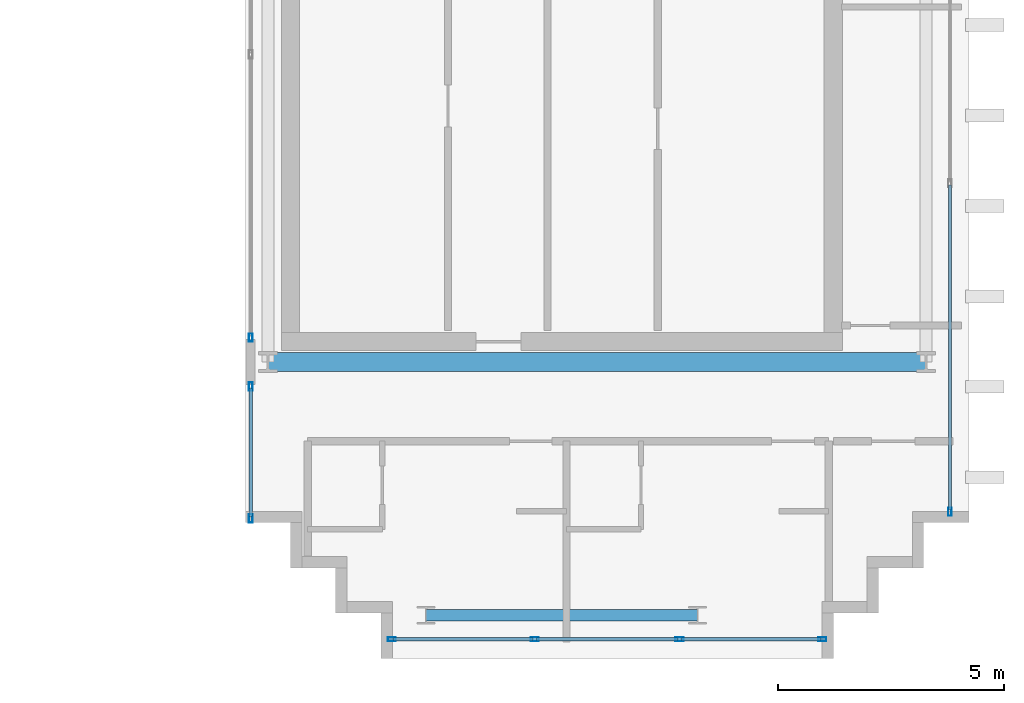
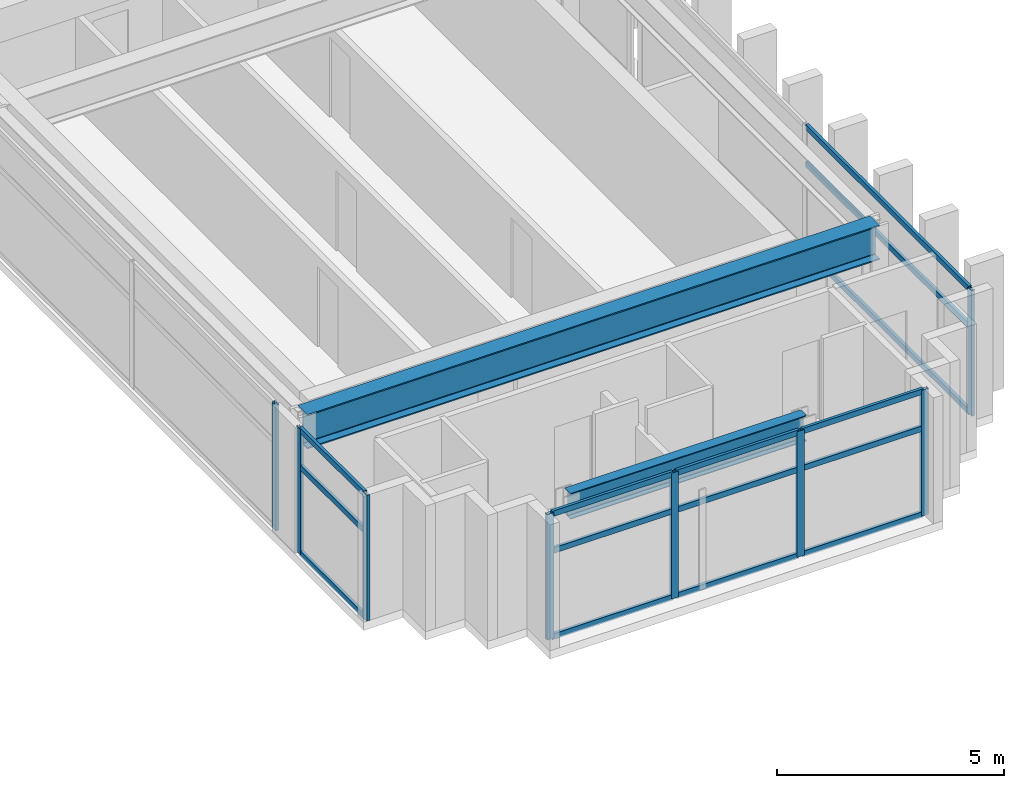
# One storey, part 8 of 25: 23 members, 2 beams, 4 elements without a shape of their own.
"""IFC4 building model written with IfcOpenShell, lengths in metres."""

from ifc_helpers import new_model, si_unit, direction, frame, origin, origin_2d, place, context, subcontext, project, spatial, hollow_rectangle, i_section, extrude, source, transform, mapped, material, layer, layer_set, material_profile, profile_set, type_object, element, aggregate, save


model = new_model("IFC4")

# Units and contexts
model_context = context("Model", 3, precision=1e-05, world=origin(), true_north=direction((0.0, 1.0)))
body_context = subcontext(model_context, "Body", "Model", "MODEL_VIEW")
ifc_project = project(units=[si_unit("LENGTHUNIT", "METRE"), si_unit("AREAUNIT", "SQUARE_METRE"), si_unit("VOLUMEUNIT", "CUBIC_METRE"), si_unit("PLANEANGLEUNIT", "RADIAN"), si_unit("MASSUNIT", "GRAM", prefix="KILO")], contexts=[model_context])

# Site, building, storey
site_placement = place(None, origin())
site = spatial("IfcSite", under=ifc_project, at=site_placement, CompositionType="ELEMENT")
building_placement = place(site_placement, origin())
building = spatial("IfcBuilding", under=site, at=building_placement, Name="Ocotamira Hotel", CompositionType="ELEMENT")
storey_placement = place(building_placement, frame((0.0, 0.0, 254.39990234375)))
storey = spatial("IfcBuildingStorey", under=building, at=storey_placement, Name="L64", CompositionType="ELEMENT", Elevation=254.39990234375)

# Beams
ifc_material_1 = material(Name="Steel ASTM A992 Grade 50", Category="steel")
ifc_material_profile_1 = material_profile(ifc_material_1, i_section(OverallWidth=0.41796875, OverallDepth=0.927001953125, WebThickness=0.019287109375, FlangeThickness=0.031982421875, FilletRadius=0.02392578125, at=origin_2d()), Name="W36X231")
ifc_profile_set_1 = profile_set([ifc_material_profile_1], Name="Steel ASTM A992 Grade 50")
beam_type_1 = type_object("IfcBeamType", Name="BM-GIRD-W36X231", PredefinedType="BEAM", material=ifc_profile_set_1)
shared_shape_1 = source(origin(), body_context, "Body", "SweptSolid", [
    extrude(i_section(OverallWidth=0.41796875, OverallDepth=0.927001953125, WebThickness=0.019287109375, FlangeThickness=0.031982421875, FilletRadius=0.02392578125, at=origin_2d()), origin(), (0.0, 0.0, 1.0), 14.550048828125),
])
beam_1_placement = place(storey_placement, frame((40.5, 14.550048828125, 2.91650390625), z_axis=(1.0, 0.0, 0.0), x_axis=(0.0, 1.0, 0.0)))
element("IfcBeam", 1, at=beam_1_placement, inside=storey, type_object=beam_type_1, Name="L64 Girder Y14.55 X40.5-55.05", PredefinedType="BEAM", context=body_context, shape_type="MappedRepresentation", body=[
    mapped(shared_shape_1, transform((0.0, 0.0, 0.0), scale=1.0)),
])
ifc_material_profile_2 = material_profile(ifc_material_1, i_section(OverallWidth=0.256103515625, OverallDepth=0.693115234375, WebThickness=0.014404296875, FlangeThickness=0.023681640625, FilletRadius=0.01611328125, at=origin_2d()), Name="W27X114")
ifc_profile_set_2 = profile_set([ifc_material_profile_2], Name="Steel ASTM A992 Grade 50")
beam_type_2 = type_object("IfcBeamType", Name="BM-PRIM-W27X114", PredefinedType="BEAM", material=ifc_profile_set_2)
shared_shape_2 = source(origin(), body_context, "Body", "SweptSolid", [
    extrude(i_section(OverallWidth=0.256103515625, OverallDepth=0.693115234375, WebThickness=0.014404296875, FlangeThickness=0.023681640625, FilletRadius=0.01611328125, at=origin_2d()), origin(), (0.0, 0.0, 1.0), 6.0),
])
beam_2_placement = place(storey_placement, frame((44.0, 8.949951171875, 3.03369140625), z_axis=(1.0, 0.0, 0.0), x_axis=(0.0, 1.0, 0.0)))
element("IfcBeam", 2, at=beam_2_placement, inside=storey, type_object=beam_type_2, Name="L64 Girder Y8.95 X44-50", PredefinedType="BEAM", context=body_context, shape_type="MappedRepresentation", body=[
    mapped(shared_shape_2, transform((0.0, 0.0, 0.0), scale=1.0)),
])

# Curtain wall, members
ifc_material_2 = material(Name="Anodised pale-metal aluminium and solar glass", Category="aluminium")
ifc_layer = layer(ifc_material_2, 0.2099609375)
ifc_layer_set = layer_set([ifc_layer], Name="Anodised pale-metal aluminium and solar glass")
curtain_wall_type = type_object("IfcCurtainWallType", Name="CW-SYS7-PEAK", PredefinedType="NOTDEFINED", material=ifc_layer_set)
curtain_wall_1_placement = place(storey_placement, origin())
curtain_wall_1 = element("IfcCurtainWall", 3, at=curtain_wall_1_placement, inside=storey, type_object=curtain_wall_type, Name="L64 Curtain Wall CW-7 CW-L64-ES", PredefinedType="NOTDEFINED")
ifc_material_3 = material(Name="Anodised pale-metal aluminium 6063-T6", Category="aluminium")
ifc_material_profile_3 = material_profile(ifc_material_3, hollow_rectangle(XDim=0.080078125, YDim=0.179931640625, WallThickness=0.006103515625, at=origin_2d()), Name="HSS180X80X6")
ifc_profile_set_3 = profile_set([ifc_material_profile_3], Name="Anodised pale-metal aluminium 6063-T6")
member_type_1 = type_object("IfcMemberType", Name="CWM-180X75", PredefinedType="MULLION", material=ifc_profile_set_3)
shared_shape_3 = source(origin(), body_context, "Body", "SweptSolid", [
    extrude(hollow_rectangle(XDim=0.080078125, YDim=0.179931640625, WallThickness=0.006103515625, at=origin_2d()), origin(), (0.0, 0.0, 1.0), 3.380126953125),
])
member_1_placement = place(storey_placement, frame((43.239990234375, 8.419921875, 0.0), z_axis=(0.0, 0.0, 1.0), x_axis=(0.0, 1.0, 0.0)))
member_1 = element("IfcMember", 4, at=member_1_placement, type_object=member_type_1, Name="CW-7 mullion 1", PredefinedType="MULLION", context=body_context, shape_type="MappedRepresentation", body=[
    mapped(shared_shape_3, transform((0.0, 0.0, 0.0), scale=1.0)),
])
member_2_placement = place(storey_placement, frame((46.39990234375, 8.419921875, 0.0), z_axis=(0.0, 0.0, 1.0), x_axis=(0.0, 1.0, 0.0)))
member_2 = element("IfcMember", 5, at=member_2_placement, type_object=member_type_1, Name="CW-7 mullion 2", PredefinedType="MULLION", context=body_context, shape_type="MappedRepresentation", body=[
    mapped(shared_shape_3, transform((0.0, 0.0, 0.0), scale=1.0)),
])
member_3_placement = place(storey_placement, frame((49.60009765625, 8.419921875, 0.0), z_axis=(0.0, 0.0, 1.0), x_axis=(0.0, 1.0, 0.0)))
member_3 = element("IfcMember", 6, at=member_3_placement, type_object=member_type_1, Name="CW-7 mullion 3", PredefinedType="MULLION", context=body_context, shape_type="MappedRepresentation", body=[
    mapped(shared_shape_3, transform((0.0, 0.0, 0.0), scale=1.0)),
])
member_4_placement = place(storey_placement, frame((52.760009765625, 8.419921875, 0.0), z_axis=(0.0, 0.0, 1.0), x_axis=(0.0, 1.0, 0.0)))
member_4 = element("IfcMember", 7, at=member_4_placement, type_object=member_type_1, Name="CW-7 mullion 4", PredefinedType="MULLION", context=body_context, shape_type="MappedRepresentation", body=[
    mapped(shared_shape_3, transform((0.0, 0.0, 0.0), scale=1.0)),
])

# Curtain wall, member
curtain_wall_2_placement = place(storey_placement, origin())
curtain_wall_2 = element("IfcCurtainWall", 8, at=curtain_wall_2_placement, inside=storey, type_object=curtain_wall_type, Name="L64 Curtain Wall CW-7 CW-L64-EO1", PredefinedType="NOTDEFINED")
member_5_placement = place(storey_placement, frame((55.580078125, 11.239990234375, 0.0), z_axis=(0.0, 0.0, 1.0), x_axis=(-1.0, 0.0, 0.0)))
member_5 = element("IfcMember", 9, at=member_5_placement, type_object=member_type_1, Name="CW-7 mullion 1", PredefinedType="MULLION", context=body_context, shape_type="MappedRepresentation", body=[
    mapped(shared_shape_3, transform((0.0, 0.0, 0.0), scale=1.0)),
])

# Curtain wall, members
curtain_wall_3_placement = place(storey_placement, origin())
curtain_wall_3 = element("IfcCurtainWall", 10, at=curtain_wall_3_placement, inside=storey, type_object=curtain_wall_type, Name="L64 Curtain Wall CW-7 CW-L64-EI1", PredefinedType="NOTDEFINED")
member_6_placement = place(storey_placement, frame((40.1201171875, 11.090087890625, 0.0), z_axis=(0.0, 0.0, 1.0), x_axis=(-1.0, 0.0, 0.0)))
member_6 = element("IfcMember", 11, at=member_6_placement, type_object=member_type_1, Name="CW-7 mullion 1", PredefinedType="MULLION", context=body_context, shape_type="MappedRepresentation", body=[
    mapped(shared_shape_3, transform((0.0, 0.0, 0.0), scale=1.0)),
])
member_7_placement = place(storey_placement, frame((40.1201171875, 14.010009765625, 0.0), z_axis=(0.0, 0.0, 1.0), x_axis=(-1.0, 0.0, 0.0)))
member_7 = element("IfcMember", 12, at=member_7_placement, type_object=member_type_1, Name="CW-7 mullion 2", PredefinedType="MULLION", context=body_context, shape_type="MappedRepresentation", body=[
    mapped(shared_shape_3, transform((0.0, 0.0, 0.0), scale=1.0)),
])

# Curtain wall, member
curtain_wall_4_placement = place(storey_placement, origin())
curtain_wall_4 = element("IfcCurtainWall", 13, at=curtain_wall_4_placement, inside=storey, type_object=curtain_wall_type, Name="L64 Curtain Wall CW-7 CW-L64-EI2", PredefinedType="NOTDEFINED")
member_8_placement = place(storey_placement, frame((40.1201171875, 15.090087890625, 0.0), z_axis=(0.0, 0.0, 1.0), x_axis=(-1.0, 0.0, 0.0)))
member_8 = element("IfcMember", 14, at=member_8_placement, type_object=member_type_1, Name="CW-7 mullion 1", PredefinedType="MULLION", context=body_context, shape_type="MappedRepresentation", body=[
    mapped(shared_shape_3, transform((0.0, 0.0, 0.0), scale=1.0)),
])
aggregate(curtain_wall_4, [member_8])

# Member
ifc_material_profile_4 = material_profile(ifc_material_3, hollow_rectangle(XDim=0.074951171875, YDim=0.14990234375, WallThickness=0.006103515625, at=origin_2d()), Name="HSS150X75X6")
ifc_profile_set_4 = profile_set([ifc_material_profile_4], Name="Anodised pale-metal aluminium 6063-T6")
member_type_2 = type_object("IfcMemberType", Name="CWT-150X75", PredefinedType="USERDEFINED", material=ifc_profile_set_4)
shared_shape_4 = source(origin(), body_context, "Body", "SweptSolid", [
    extrude(hollow_rectangle(XDim=0.074951171875, YDim=0.14990234375, WallThickness=0.006103515625, at=origin_2d()), origin(), (0.0, 0.0, 1.0), 3.080078125),
])
member_9_placement = place(storey_placement, frame((43.280029296875, 8.419921875, 0.03759765625), z_axis=(1.0, 0.0, 0.0), x_axis=(0.0, 1.0, 0.0)))
member_9 = element("IfcMember", 15, at=member_9_placement, type_object=member_type_2, Name="CW-7 transom 1.1", ObjectType="TRANSOM", PredefinedType="USERDEFINED", context=body_context, shape_type="MappedRepresentation", body=[
    mapped(shared_shape_4, transform((0.0, 0.0, 0.0), scale=1.0)),
])

member_10_placement = place(storey_placement, frame((43.280029296875, 8.419921875, 2.35009765625), z_axis=(1.0, 0.0, 0.0), x_axis=(0.0, 1.0, 0.0)))
member_10 = element("IfcMember", 16, at=member_10_placement, type_object=member_type_2, Name="CW-7 transom 1.2", ObjectType="TRANSOM", PredefinedType="USERDEFINED", context=body_context, shape_type="MappedRepresentation", body=[
    mapped(shared_shape_4, transform((0.0, 0.0, 0.0), scale=1.0)),
])

member_11_placement = place(storey_placement, frame((43.280029296875, 8.419921875, 3.342529296875), z_axis=(1.0, 0.0, 0.0), x_axis=(0.0, 1.0, 0.0)))
member_11 = element("IfcMember", 17, at=member_11_placement, type_object=member_type_2, Name="CW-7 transom 1.3", ObjectType="TRANSOM", PredefinedType="USERDEFINED", context=body_context, shape_type="MappedRepresentation", body=[
    mapped(shared_shape_4, transform((0.0, 0.0, 0.0), scale=1.0)),
])

member_12_placement = place(storey_placement, frame((49.639892578125, 8.419921875, 0.03759765625), z_axis=(1.0, 0.0, 0.0), x_axis=(0.0, 1.0, 0.0)))
member_12 = element("IfcMember", 18, at=member_12_placement, type_object=member_type_2, Name="CW-7 transom 3.1", ObjectType="TRANSOM", PredefinedType="USERDEFINED", context=body_context, shape_type="MappedRepresentation", body=[
    mapped(shared_shape_4, transform((0.0, 0.0, 0.0), scale=1.0)),
])

member_13_placement = place(storey_placement, frame((49.639892578125, 8.419921875, 2.35009765625), z_axis=(1.0, 0.0, 0.0), x_axis=(0.0, 1.0, 0.0)))
member_13 = element("IfcMember", 19, at=member_13_placement, type_object=member_type_2, Name="CW-7 transom 3.2", ObjectType="TRANSOM", PredefinedType="USERDEFINED", context=body_context, shape_type="MappedRepresentation", body=[
    mapped(shared_shape_4, transform((0.0, 0.0, 0.0), scale=1.0)),
])

member_14_placement = place(storey_placement, frame((49.639892578125, 8.419921875, 3.342529296875), z_axis=(1.0, 0.0, 0.0), x_axis=(0.0, 1.0, 0.0)))
member_14 = element("IfcMember", 20, at=member_14_placement, type_object=member_type_2, Name="CW-7 transom 3.3", ObjectType="TRANSOM", PredefinedType="USERDEFINED", context=body_context, shape_type="MappedRepresentation", body=[
    mapped(shared_shape_4, transform((0.0, 0.0, 0.0), scale=1.0)),
])

shared_shape_5 = source(origin(), body_context, "Body", "SweptSolid", [
    extrude(hollow_rectangle(XDim=0.074951171875, YDim=0.14990234375, WallThickness=0.006103515625, at=origin_2d()), origin(), (0.0, 0.0, 1.0), 3.1201171875),
])
member_15_placement = place(storey_placement, frame((46.43994140625, 8.419921875, 0.03759765625), z_axis=(1.0, 0.0, 0.0), x_axis=(0.0, 1.0, 0.0)))
member_15 = element("IfcMember", 21, at=member_15_placement, type_object=member_type_2, Name="CW-7 transom 2.1", ObjectType="TRANSOM", PredefinedType="USERDEFINED", context=body_context, shape_type="MappedRepresentation", body=[
    mapped(shared_shape_5, transform((0.0, 0.0, 0.0), scale=1.0)),
])

member_16_placement = place(storey_placement, frame((46.43994140625, 8.419921875, 2.35009765625), z_axis=(1.0, 0.0, 0.0), x_axis=(0.0, 1.0, 0.0)))
member_16 = element("IfcMember", 22, at=member_16_placement, type_object=member_type_2, Name="CW-7 transom 2.2", ObjectType="TRANSOM", PredefinedType="USERDEFINED", context=body_context, shape_type="MappedRepresentation", body=[
    mapped(shared_shape_5, transform((0.0, 0.0, 0.0), scale=1.0)),
])

member_17_placement = place(storey_placement, frame((46.43994140625, 8.419921875, 3.342529296875), z_axis=(1.0, 0.0, 0.0), x_axis=(0.0, 1.0, 0.0)))
member_17 = element("IfcMember", 23, at=member_17_placement, type_object=member_type_2, Name="CW-7 transom 2.3", ObjectType="TRANSOM", PredefinedType="USERDEFINED", context=body_context, shape_type="MappedRepresentation", body=[
    mapped(shared_shape_5, transform((0.0, 0.0, 0.0), scale=1.0)),
])

aggregate(curtain_wall_1, [member_1, member_2, member_3, member_4, member_9, member_10, member_11, member_15, member_16, member_17, member_12, member_13, member_14])

shared_shape_6 = source(origin(), body_context, "Body", "SweptSolid", [
    extrude(hollow_rectangle(XDim=0.074951171875, YDim=0.14990234375, WallThickness=0.006103515625, at=origin_2d()), origin(), (0.0, 0.0, 1.0), 7.179931640625),
])
member_18_placement = place(storey_placement, frame((55.580078125, 11.280029296875, 0.03759765625), z_axis=(0.0, 1.0, 0.0), x_axis=(-1.0, 0.0, 0.0)))
member_18 = element("IfcMember", 24, at=member_18_placement, type_object=member_type_2, Name="CW-7 transom 1.1", ObjectType="TRANSOM", PredefinedType="USERDEFINED", context=body_context, shape_type="MappedRepresentation", body=[
    mapped(shared_shape_6, transform((0.0, 0.0, 0.0), scale=1.0)),
])

member_19_placement = place(storey_placement, frame((55.580078125, 11.280029296875, 2.35009765625), z_axis=(0.0, 1.0, 0.0), x_axis=(-1.0, 0.0, 0.0)))
member_19 = element("IfcMember", 25, at=member_19_placement, type_object=member_type_2, Name="CW-7 transom 1.2", ObjectType="TRANSOM", PredefinedType="USERDEFINED", context=body_context, shape_type="MappedRepresentation", body=[
    mapped(shared_shape_6, transform((0.0, 0.0, 0.0), scale=1.0)),
])

member_20_placement = place(storey_placement, frame((55.580078125, 11.280029296875, 3.342529296875), z_axis=(0.0, 1.0, 0.0), x_axis=(-1.0, 0.0, 0.0)))
member_20 = element("IfcMember", 26, at=member_20_placement, type_object=member_type_2, Name="CW-7 transom 1.3", ObjectType="TRANSOM", PredefinedType="USERDEFINED", context=body_context, shape_type="MappedRepresentation", body=[
    mapped(shared_shape_6, transform((0.0, 0.0, 0.0), scale=1.0)),
])

aggregate(curtain_wall_2, [member_5, member_18, member_19, member_20])

shared_shape_7 = source(origin(), body_context, "Body", "SweptSolid", [
    extrude(hollow_rectangle(XDim=0.074951171875, YDim=0.14990234375, WallThickness=0.006103515625, at=origin_2d()), origin(), (0.0, 0.0, 1.0), 2.840087890625),
])
member_21_placement = place(storey_placement, frame((40.1201171875, 11.1298828125, 0.03759765625), z_axis=(0.0, 1.0, 0.0), x_axis=(-1.0, 0.0, 0.0)))
member_21 = element("IfcMember", 27, at=member_21_placement, type_object=member_type_2, Name="CW-7 transom 1.1", ObjectType="TRANSOM", PredefinedType="USERDEFINED", context=body_context, shape_type="MappedRepresentation", body=[
    mapped(shared_shape_7, transform((0.0, 0.0, 0.0), scale=1.0)),
])

member_22_placement = place(storey_placement, frame((40.1201171875, 11.1298828125, 2.35009765625), z_axis=(0.0, 1.0, 0.0), x_axis=(-1.0, 0.0, 0.0)))
member_22 = element("IfcMember", 28, at=member_22_placement, type_object=member_type_2, Name="CW-7 transom 1.2", ObjectType="TRANSOM", PredefinedType="USERDEFINED", context=body_context, shape_type="MappedRepresentation", body=[
    mapped(shared_shape_7, transform((0.0, 0.0, 0.0), scale=1.0)),
])

member_23_placement = place(storey_placement, frame((40.1201171875, 11.1298828125, 3.342529296875), z_axis=(0.0, 1.0, 0.0), x_axis=(-1.0, 0.0, 0.0)))
member_23 = element("IfcMember", 29, at=member_23_placement, type_object=member_type_2, Name="CW-7 transom 1.3", ObjectType="TRANSOM", PredefinedType="USERDEFINED", context=body_context, shape_type="MappedRepresentation", body=[
    mapped(shared_shape_7, transform((0.0, 0.0, 0.0), scale=1.0)),
])

aggregate(curtain_wall_3, [member_6, member_7, member_21, member_22, member_23])

save(model, "model.ifc")
